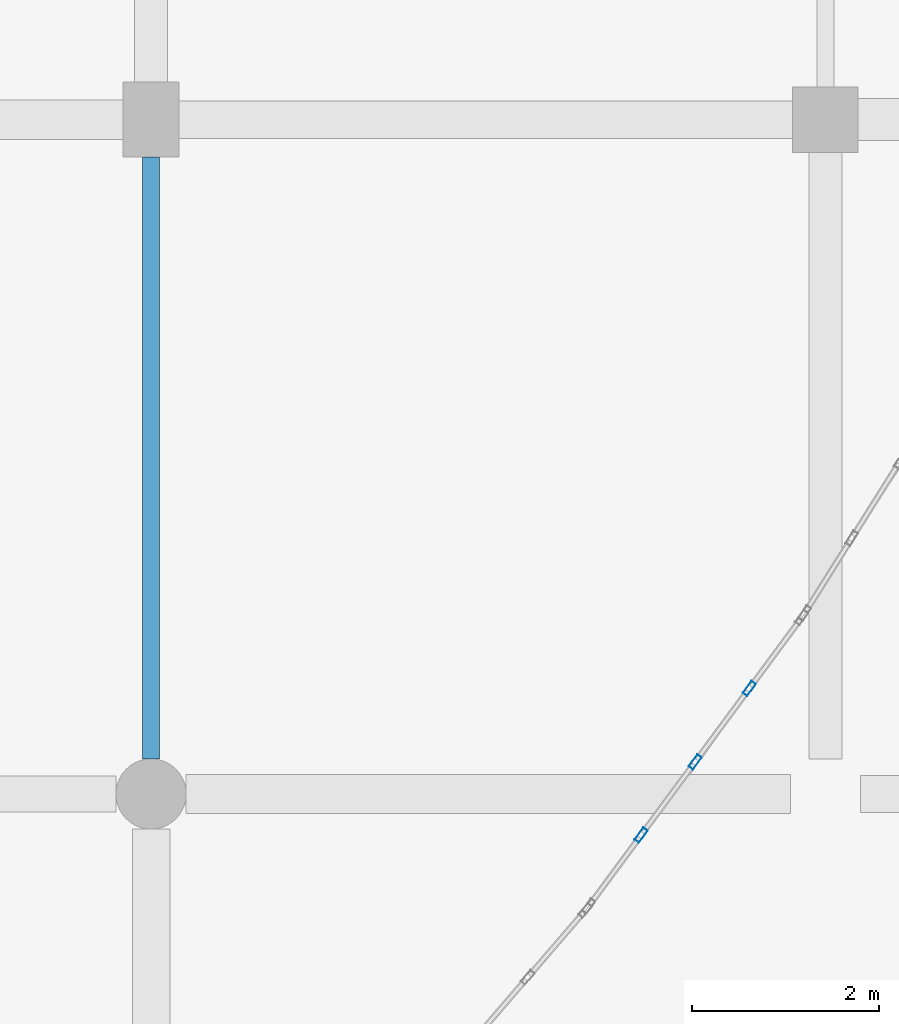
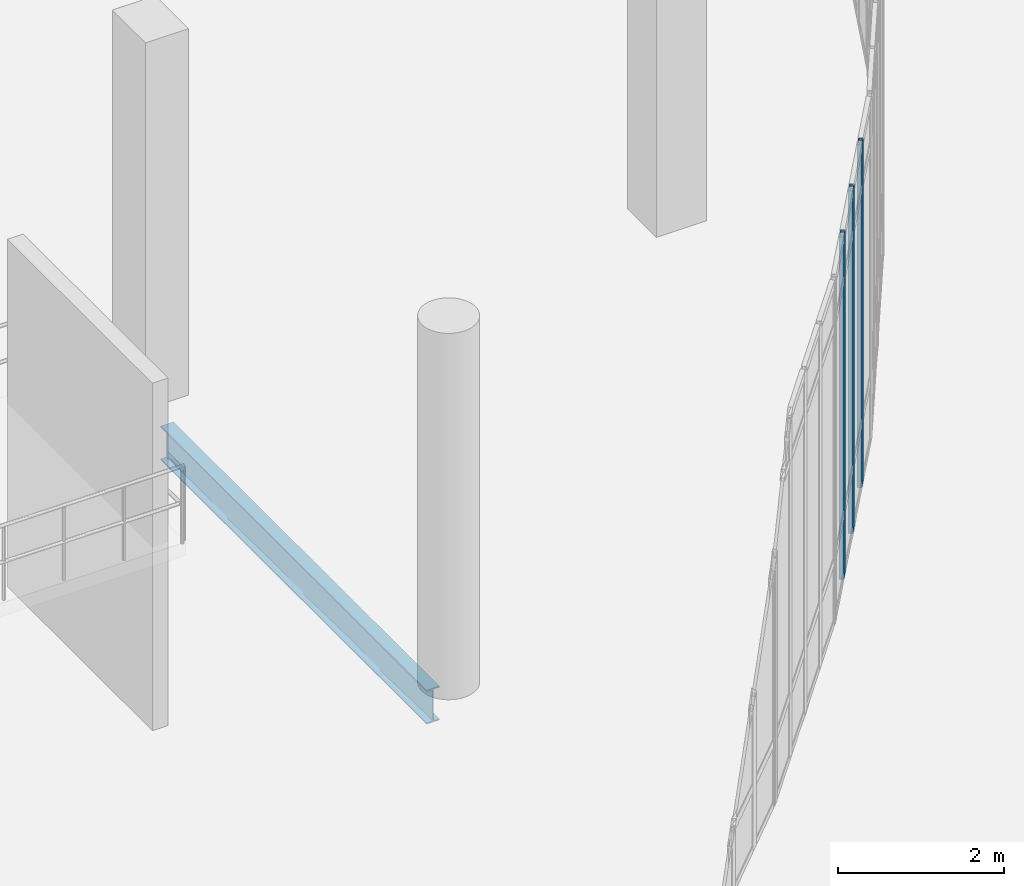
# One storey, part 34 of 110: 3 members, 1 beam, 1 element without a shape of its own.
"""IFC4 building model written with IfcOpenShell, lengths in metres."""

import ifcopenshell
import ifcopenshell.guid

model = None  # the IFC model being written
_history = None  # IfcOwnerHistory: only IFC2X3 demands one
_inside = {}  # id of a spatial element -> (the spatial element, [elements in it])
_under = {}  # id of a project, library or spatial element -> (it, [spatial elements below it])
_declared = {}  # id of a project -> (the project, [libraries it declares])
_typed = {}  # id of a type object -> (the type object, [elements of that type])
_made_of = {}  # id of a material, layer set ... -> (it, [elements and type objects made of it])


def new_model(schema):
    """Start an empty IFC model of exactly this schema.

    Asked for "IFC4X3", IfcOpenShell would pick the latest addendum, in which some entities
    have other attributes; the version numbers below select the first issue.
    IFC2X3 requires an IfcOwnerHistory on every rooted entity: one is made here for all.
    """
    global model, _history
    if schema == "IFC4X3":
        model = ifcopenshell.file(schema_version=(4, 3, 0, 0))
    else:
        model = ifcopenshell.file(schema=schema)
    _inside.clear()
    _under.clear()
    _declared.clear()
    _typed.clear()
    _made_of.clear()
    _history = None
    if model.schema == "IFC2X3":
        org = make("IfcOrganization", Name="unknown")
        user = make(
            "IfcPersonAndOrganization",
            ThePerson=make("IfcPerson", FamilyName="unknown"),
            TheOrganization=org,
        )
        app = make(
            "IfcApplication",
            ApplicationDeveloper=org,
            Version="unknown",
            ApplicationFullName="unknown",
            ApplicationIdentifier="unknown",
        )
        _history = make(
            "IfcOwnerHistory",
            OwningUser=user,
            OwningApplication=app,
            ChangeAction="ADDED",
            CreationDate=0,
        )
    return model


def make(cls, **values):
    """One entity of the class cls with the attributes given. An attribute that is None is left unset."""
    return model.create_entity(
        cls, **{name: value for name, value in values.items() if value is not None}
    )


def rooted(cls, **values):
    """An entity with a GlobalId (a new one), such as an element, a storey or a relation."""
    return make(cls, GlobalId=ifcopenshell.guid.new(), OwnerHistory=_history, **values)


def si_unit(unit_type, name, prefix=None):
    """IfcSIUnit, for example si_unit("LENGTHUNIT", "METRE", prefix="MILLI")."""
    return make("IfcSIUnit", UnitType=unit_type, Prefix=prefix, Name=name)


def assignment(units):
    """IfcUnitAssignment: the units of a project."""
    return None if units is None else make("IfcUnitAssignment", Units=units)


def point(xyz):
    """IfcCartesianPoint."""
    return None if xyz is None else make("IfcCartesianPoint", Coordinates=xyz)


def direction(xyz):
    """IfcDirection."""
    return None if xyz is None else make("IfcDirection", DirectionRatios=xyz)


def frame(location, z_axis=None, x_axis=None):
    """IfcAxis2Placement3D, a coordinate frame: its origin and axes. An axis left out is left unset."""
    return make(
        "IfcAxis2Placement3D",
        Location=point(location),
        Axis=direction(z_axis),
        RefDirection=direction(x_axis),
    )


def frame_2d(location, x_axis=None):
    """IfcAxis2Placement2D, a coordinate frame in the plane: its origin and x axis."""
    return make(
        "IfcAxis2Placement2D", Location=point(location), RefDirection=direction(x_axis)
    )


def origin():
    """The frame at (0, 0, 0) with its axes left unset."""
    return frame((0.0, 0.0, 0.0))


def origin_2d():
    """The frame at (0, 0) in the plane with its x axis left unset."""
    return frame_2d((0.0, 0.0))


def place(relative_to, where):
    """IfcLocalPlacement: puts the frame where relative to a parent placement (None: the world)."""
    return make(
        "IfcLocalPlacement", PlacementRelTo=relative_to, RelativePlacement=where
    )


def context(
    kind, dimensions, precision=None, world=None, true_north=None, identifier=None
):
    """IfcGeometricRepresentationContext, for example the 3D "Model" context."""
    return make(
        "IfcGeometricRepresentationContext",
        ContextIdentifier=identifier,
        ContextType=kind,
        CoordinateSpaceDimension=dimensions,
        Precision=precision,
        WorldCoordinateSystem=world,
        TrueNorth=true_north,
    )


def subcontext(parent, identifier, kind, view, scale=None):
    """IfcGeometricRepresentationSubContext, for example "Body" below "Model"."""
    return make(
        "IfcGeometricRepresentationSubContext",
        ContextIdentifier=identifier,
        ContextType=kind,
        ParentContext=parent,
        TargetScale=scale,
        TargetView=view,
    )


def project(units=None, contexts=None):
    """IfcProject with its units and contexts."""
    return rooted(
        "IfcProject",
        Name="project",
        RepresentationContexts=contexts,
        UnitsInContext=assignment(units),
    )


def spatial(cls, under=None, at=None, **own):
    """A site, building, storey or space (cls), placed at a placement, below another one or the project."""
    s = rooted(cls, ObjectPlacement=at, **own)
    if under is not None:
        _under.setdefault(under.id(), (under, []))[1].append(s)
    return s


def profile(cls, at=None, kind="AREA", **sizes):
    """A parametric profile (cls). Its sizes go by their IFC names, for example OverallWidth=200.0."""
    return make(cls, ProfileType=kind, Position=at, **sizes)


def hollow_rectangle(**sizes):
    """IfcRectangleHollowProfileDef."""
    return profile("IfcRectangleHollowProfileDef", **sizes)


def i_section(**sizes):
    """IfcIShapeProfileDef."""
    return profile("IfcIShapeProfileDef", **sizes)


def extrude(swept, where, along, depth):
    """IfcExtrudedAreaSolid: the profile swept, set in the frame where, extruded along a direction by depth."""
    return make(
        "IfcExtrudedAreaSolid",
        SweptArea=swept,
        Position=where,
        ExtrudedDirection=direction(along),
        Depth=depth,
    )


def shape(context_of_items, identifier, shape_type, items):
    """IfcShapeRepresentation: the items that make up one representation, for example the "Body"."""
    return make(
        "IfcShapeRepresentation",
        ContextOfItems=context_of_items,
        RepresentationIdentifier=identifier,
        RepresentationType=shape_type,
        Items=items,
    )


def material(Name=None, Category=None):
    """IfcMaterial."""
    return make("IfcMaterial", Name=Name, Category=Category)


def material_profile(
    of_material, cross_section, Name=None, Category=None, Priority=None
):
    """IfcMaterialProfile: a cross section and its material."""
    return make(
        "IfcMaterialProfile",
        Name=Name,
        Material=of_material,
        Profile=cross_section,
        Priority=Priority,
        Category=Category,
    )


def profile_set(profiles, Name=None, composite=None):
    """IfcMaterialProfileSet."""
    return make(
        "IfcMaterialProfileSet",
        Name=Name,
        MaterialProfiles=profiles,
        CompositeProfile=composite,
    )


def made_of(thing, what):
    """Note that an element or type object is made of a material, layer set ...; save() writes the relation."""
    if what is not None:
        _made_of.setdefault(what.id(), (what, []))[1].append(thing)
    return thing


def type_object(cls, material=None, **own):
    """A type object (cls), such as IfcWallType, which elements share."""
    return made_of(rooted(cls, **own), material)


def element(
    cls,
    number,
    at=None,
    inside=None,
    cuts=None,
    type_object=None,
    material=None,
    context=None,
    identifier="Body",
    shape_type=None,
    held_by="IfcProductDefinitionShape",
    body=None,
    shapes=None,
    **own,
):
    """One element of the class cls, such as IfcWall. Its Tag is "e" and its number.

    at: its placement. inside: the storey or other place that contains it. cuts: it is an
    opening in that element (IfcRelVoidsElement). A single representation is given by context,
    identifier, shape_type and body (its items); several are given by shapes. held_by: the class
    of the entity that holds the representations. save() writes the other relations.
    """
    e = rooted(cls, Tag="e%d" % number, ObjectPlacement=at, **own)
    if body is not None:
        shapes = [shape(context, identifier, shape_type, body)]
    if shapes is not None:
        e.Representation = make(held_by, Representations=shapes)
    if inside is not None:
        _inside.setdefault(inside.id(), (inside, []))[1].append(e)
    if cuts is not None:
        rooted(
            "IfcRelVoidsElement", RelatingBuildingElement=cuts, RelatedOpeningElement=e
        )
    if type_object is not None:
        _typed.setdefault(type_object.id(), (type_object, []))[1].append(e)
    return made_of(e, material)


def aggregate(whole, parts):
    """IfcRelAggregates: a whole, such as a stair, and the parts it consists of."""
    return rooted("IfcRelAggregates", RelatingObject=whole, RelatedObjects=parts)


def save(model, path):
    """Write the relations noted so far, then the file.

    IfcRelAggregates (storeys below a building ...), IfcRelContainedInSpatialStructure (elements
    in a storey), IfcRelDefinesByType, IfcRelAssociatesMaterial and IfcRelDeclares: one each for
    every whole, place, type object, material and project.
    """
    for whole, parts in _under.values():
        aggregate(whole, parts)
    for where, things in _inside.values():
        rooted(
            "IfcRelContainedInSpatialStructure",
            RelatedElements=things,
            RelatingStructure=where,
        )
    for kind, things in _typed.values():
        rooted("IfcRelDefinesByType", RelatedObjects=things, RelatingType=kind)
    for what, things in _made_of.values():
        rooted("IfcRelAssociatesMaterial", RelatedObjects=things, RelatingMaterial=what)
    for by, libraries in _declared.values():
        rooted("IfcRelDeclares", RelatingContext=by, RelatedDefinitions=libraries)
    model.write(path)


model = new_model("IFC4")

# Units and contexts
model_context = context("Model", 3, precision=1e-05, world=origin(), true_north=direction((0.0, 1.0)))
body_context = subcontext(model_context, "Body", "Model", "MODEL_VIEW")
ifc_project = project(units=[si_unit("LENGTHUNIT", "METRE"), si_unit("AREAUNIT", "SQUARE_METRE"), si_unit("VOLUMEUNIT", "CUBIC_METRE"), si_unit("PLANEANGLEUNIT", "RADIAN"), si_unit("MASSUNIT", "GRAM", prefix="KILO")], contexts=[model_context])

# Site, building, storey
site_placement = place(None, origin())
site = spatial("IfcSite", under=ifc_project, at=site_placement, CompositionType="ELEMENT")
building_placement = place(site_placement, origin())
building = spatial("IfcBuilding", under=site, at=building_placement, Name="Kalluvel Institute of Natural Sciences", CompositionType="ELEMENT")
storey_placement = place(building_placement, origin())
storey = spatial("IfcBuildingStorey", under=building, at=storey_placement, Name="L00", CompositionType="ELEMENT", Elevation=0.0)

# Beam
ifc_material_1 = material(Name="Steel E350 Grade 350", Category="steel")
ifc_material_profile_1 = material_profile(ifc_material_1, i_section(OverallWidth=0.179931640625, OverallDepth=0.5, WebThickness=0.01025390625, FlangeThickness=0.01708984375, FilletRadius=0.01708984375, at=origin_2d()), Name="ISMB 500")
ifc_profile_set_1 = profile_set([ifc_material_profile_1], Name="Steel E350 Grade 350")
beam_type = type_object("IfcBeamType", Name="BM-ISMB500", PredefinedType="BEAM", material=ifc_profile_set_1)
beam_placement = place(storey_placement, frame((71.60009765625, 71.97509765625, -0.570068359375), z_axis=(0.0, 1.0, 0.0), x_axis=(-1.0, 0.0, 0.0)))
element("IfcBeam", 1, at=beam_placement, inside=storey, type_object=beam_type, Name="L00 girder GIR-L00-NS-X716-Y716", PredefinedType="BEAM", context=body_context, shape_type="SweptSolid", body=[
    extrude(i_section(OverallWidth=0.179931640625, OverallDepth=0.5, WebThickness=0.01025390625, FlangeThickness=0.01708984375, FilletRadius=0.01708984375, at=origin_2d()), origin(), (0.0, 0.0, 1.0), 6.4248046875),
])

# Curtain wall, members
ifc_material_2 = material(Name="Aluminium AW-6063 T6", Category="aluminium")
curtain_wall_type = type_object("IfcCurtainWallType", Name="CW-ATR-L00", PredefinedType="USERDEFINED", material=ifc_material_2)
curtain_wall_placement = place(storey_placement, origin())
curtain_wall = element("IfcCurtainWall", 2, at=curtain_wall_placement, inside=storey, type_object=curtain_wall_type, Name="L00 Gothic lancet curtain wall CWA-L00-X763-Y704", ObjectType="UNITISED LANCET FACADE", PredefinedType="USERDEFINED")
ifc_material_profile_2 = material_profile(ifc_material_2, hollow_rectangle(XDim=0.06005859375, YDim=0.159912109375, WallThickness=0.00390625, at=origin_2d()), Name="CWM 60x160")
ifc_profile_set_2 = profile_set([ifc_material_profile_2], Name="Aluminium AW-6063 T6")
member_type = type_object("IfcMemberType", Name="CWM-60x160", PredefinedType="MULLION", material=ifc_profile_set_2)
member_1_placement = place(storey_placement, frame((76.83251953125, 71.16064453125, 0.0), z_axis=(0.0, 0.0, 1.0), x_axis=(-0.804601869963, 0.593814643515, 0.0)))
member_1 = element("IfcMember", 3, at=member_1_placement, type_object=member_type, Name="CW-06 mullion 2", PredefinedType="MULLION", context=body_context, shape_type="SweptSolid", body=[
    extrude(hollow_rectangle(XDim=0.06005859375, YDim=0.159912109375, WallThickness=0.00390625, at=origin_2d()), origin(), (0.0, 0.0, 1.0), 5.050048828125),
])
member_2_placement = place(storey_placement, frame((77.409912109375, 71.94287109375, 0.0), z_axis=(0.0, 0.0, 1.0), x_axis=(-0.804601869963, 0.593814643515, 0.0)))
member_2 = element("IfcMember", 4, at=member_2_placement, type_object=member_type, Name="CW-06 mullion 3", PredefinedType="MULLION", context=body_context, shape_type="SweptSolid", body=[
    extrude(hollow_rectangle(XDim=0.06005859375, YDim=0.159912109375, WallThickness=0.00390625, at=origin_2d()), origin(), (0.0, 0.0, 1.0), 5.050048828125),
])
member_3_placement = place(storey_placement, frame((77.987060546875, 72.72509765625, 0.0), z_axis=(0.0, 0.0, 1.0), x_axis=(-0.804601869963, 0.593814643515, 0.0)))
member_3 = element("IfcMember", 5, at=member_3_placement, type_object=member_type, Name="CW-06 mullion 4", PredefinedType="MULLION", context=body_context, shape_type="SweptSolid", body=[
    extrude(hollow_rectangle(XDim=0.06005859375, YDim=0.159912109375, WallThickness=0.00390625, at=origin_2d()), origin(), (0.0, 0.0, 1.0), 5.050048828125),
])
aggregate(curtain_wall, [member_1, member_2, member_3])

save(model, "model.ifc")
